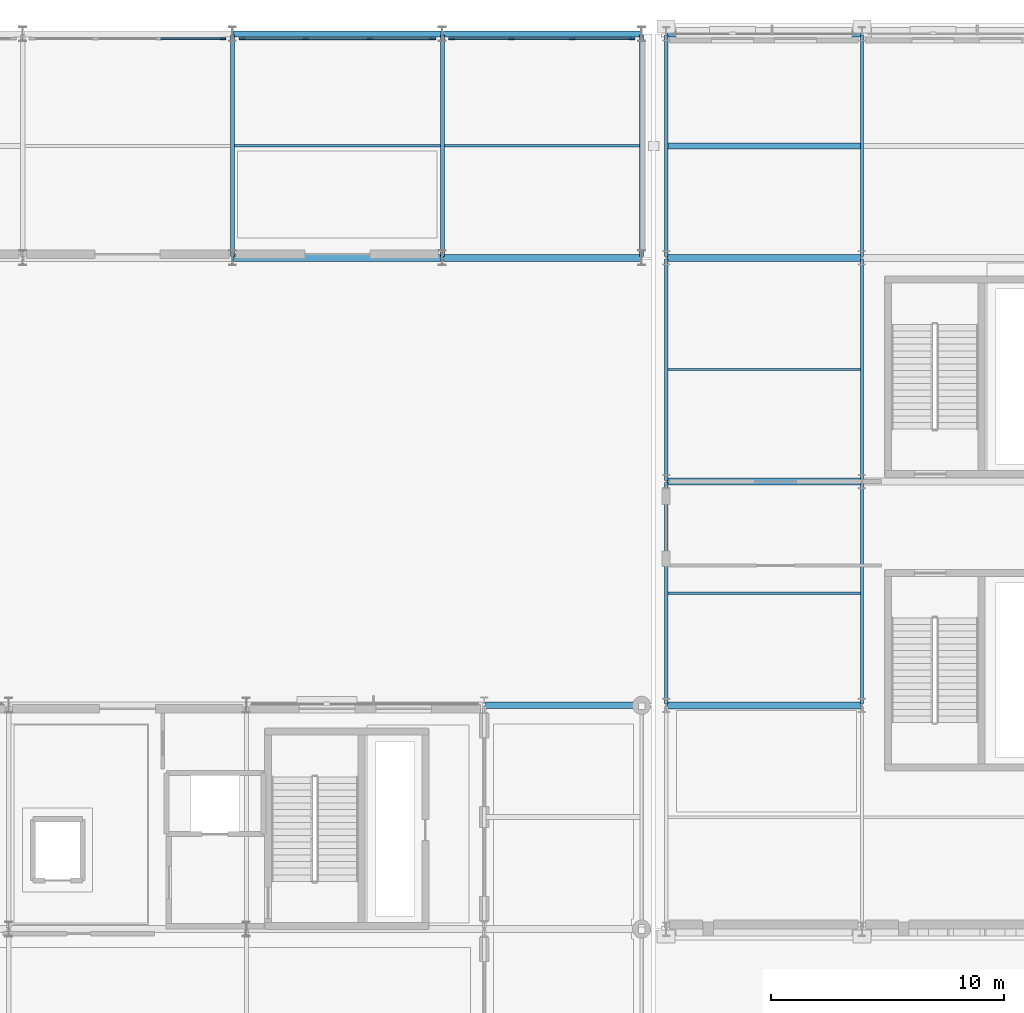
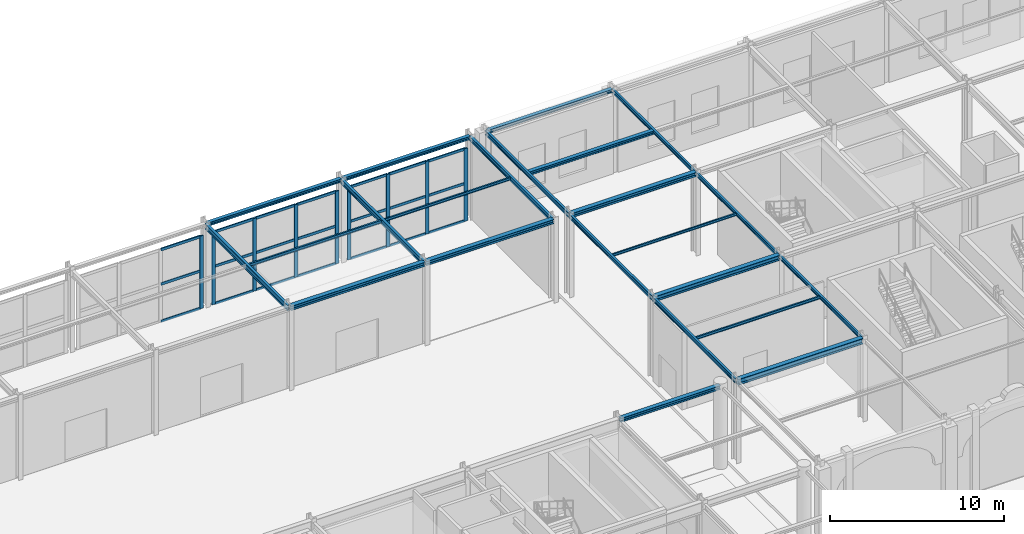
# One storey, part 44 of 113: 30 members, 23 beams, 3 elements without a shape of their own.
"""IFC4 building model written with IfcOpenShell, lengths in metres."""

from ifc_helpers import new_model, si_unit, direction, frame, origin, origin_2d, place, context, subcontext, project, spatial, rectangle, i_section, extrude, material, layer, layer_set, material_profile, profile_set, type_object, element, aggregate, save


model = new_model("IFC4")

# Units and contexts
model_context = context("Model", 3, precision=1e-05, world=origin(), true_north=direction((0.0, 1.0)))
body_context = subcontext(model_context, "Body", "Model", "MODEL_VIEW")
ifc_project = project(units=[si_unit("LENGTHUNIT", "METRE"), si_unit("AREAUNIT", "SQUARE_METRE"), si_unit("VOLUMEUNIT", "CUBIC_METRE"), si_unit("PLANEANGLEUNIT", "RADIAN"), si_unit("MASSUNIT", "GRAM", prefix="KILO")], contexts=[model_context])

# Site, building, storey
site_placement = place(None, origin())
site = spatial("IfcSite", under=ifc_project, at=site_placement, CompositionType="ELEMENT")
building_placement = place(site_placement, origin())
building = spatial("IfcBuilding", under=site, at=building_placement, Name="Myrtia Square Station", CompositionType="ELEMENT")
storey_placement = place(building_placement, origin())
storey = spatial("IfcBuildingStorey", under=building, at=storey_placement, Name="L00", CompositionType="ELEMENT", Elevation=0.0)

# Beams
ifc_material_1 = material(Name="Steel S355", Category="steel")
ifc_material_profile_1 = material_profile(ifc_material_1, i_section(OverallWidth=0.300048828125, OverallDepth=0.300048828125, WebThickness=0.010986328125, FlangeThickness=0.01904296875, FilletRadius=0.027099609375, at=origin_2d()), Name="HEB 300")
ifc_profile_set_1 = profile_set([ifc_material_profile_1], Name="Steel S355")
beam_type_1 = type_object("IfcBeamType", Name="BM-HEB300", PredefinedType="BEAM", material=ifc_profile_set_1)
beam_1_placement = place(storey_placement, frame((99.050048828125, 115.199951171875, 5.60498046875), z_axis=(1.0, 0.0, 0.0), x_axis=(0.0, 1.0, 0.0)))
element("IfcBeam", 1, at=beam_1_placement, inside=storey, type_object=beam_type_1, Name="Structural girder BMX-L00-0409", PredefinedType="BEAM", context=body_context, shape_type="SweptSolid", body=[
    extrude(i_section(OverallWidth=0.300048828125, OverallDepth=0.300048828125, WebThickness=0.010986328125, FlangeThickness=0.01904296875, FilletRadius=0.027099609375, at=origin_2d()), origin(), (0.0, 0.0, 1.0), 8.89990234375),
])
beam_2_placement = place(storey_placement, frame((108.050048828125, 115.199951171875, 5.60498046875), z_axis=(1.0, 0.0, 0.0), x_axis=(0.0, 1.0, 0.0)))
element("IfcBeam", 2, at=beam_2_placement, inside=storey, type_object=beam_type_1, Name="Structural girder BMX-L00-0410", PredefinedType="BEAM", context=body_context, shape_type="SweptSolid", body=[
    extrude(i_section(OverallWidth=0.300048828125, OverallDepth=0.300048828125, WebThickness=0.010986328125, FlangeThickness=0.01904296875, FilletRadius=0.027099609375, at=origin_2d()), origin(), (0.0, 0.0, 1.0), 8.449951171875),
])
beam_3_placement = place(storey_placement, frame((117.64990234375, 115.199951171875, 5.60009765625), z_axis=(1.0, 0.0, 0.0), x_axis=(0.0, 1.0, 0.0)))
element("IfcBeam", 3, at=beam_3_placement, inside=storey, type_object=beam_type_1, Name="Structural girder BMX-L00-0411", PredefinedType="BEAM", context=body_context, shape_type="SweptSolid", body=[
    extrude(i_section(OverallWidth=0.300048828125, OverallDepth=0.300048828125, WebThickness=0.010986328125, FlangeThickness=0.01904296875, FilletRadius=0.027099609375, at=origin_2d()), origin(), (0.0, 0.0, 1.0), 8.300048828125),
])
ifc_material_profile_2 = material_profile(ifc_material_1, i_section(OverallWidth=0.300048828125, OverallDepth=0.360107421875, WebThickness=0.012451171875, FlangeThickness=0.0224609375, FilletRadius=0.027099609375, at=origin_2d()), Name="HEB 360")
ifc_profile_set_2 = profile_set([ifc_material_profile_2], Name="Steel S355")
beam_type_2 = type_object("IfcBeamType", Name="BM-HEB360", PredefinedType="BEAM", material=ifc_profile_set_2)
beam_4_placement = place(storey_placement, frame((117.64990234375, 105.60009765625, 5.570068359375), z_axis=(1.0, 0.0, 0.0), x_axis=(0.0, 1.0, 0.0)))
element("IfcBeam", 4, at=beam_4_placement, inside=storey, type_object=beam_type_2, Name="Structural girder BMX-L00-0398", PredefinedType="BEAM", context=body_context, shape_type="SweptSolid", body=[
    extrude(i_section(OverallWidth=0.300048828125, OverallDepth=0.360107421875, WebThickness=0.012451171875, FlangeThickness=0.0224609375, FilletRadius=0.027099609375, at=origin_2d()), origin(), (0.0, 0.0, 1.0), 8.300048828125),
])
ifc_material_profile_3 = material_profile(ifc_material_1, i_section(OverallWidth=0.300048828125, OverallDepth=0.39990234375, WebThickness=0.013427734375, FlangeThickness=0.02392578125, FilletRadius=0.027099609375, at=origin_2d()), Name="HEB 400")
ifc_profile_set_3 = profile_set([ifc_material_profile_3], Name="Steel S355")
beam_type_3 = type_object("IfcBeamType", Name="BM-HEB400", PredefinedType="BEAM", material=ifc_profile_set_3)
beam_5_placement = place(storey_placement, frame((117.64990234375, 96.0, 5.550048828125), z_axis=(1.0, 0.0, 0.0), x_axis=(0.0, 1.0, 0.0)))
element("IfcBeam", 5, at=beam_5_placement, inside=storey, type_object=beam_type_3, Name="Structural girder BMX-L00-0394", PredefinedType="BEAM", context=body_context, shape_type="SweptSolid", body=[
    extrude(i_section(OverallWidth=0.300048828125, OverallDepth=0.39990234375, WebThickness=0.013427734375, FlangeThickness=0.02392578125, FilletRadius=0.027099609375, at=origin_2d()), origin(), (0.0, 0.0, 1.0), 8.300048828125),
])
ifc_material_profile_4 = material_profile(ifc_material_1, i_section(OverallWidth=0.135009765625, OverallDepth=0.27001953125, WebThickness=0.006591796875, FlangeThickness=0.01025390625, FilletRadius=0.014892578125, at=origin_2d()), Name="IPE 270")
ifc_profile_set_4 = profile_set([ifc_material_profile_4], Name="Steel S355")
beam_type_4 = type_object("IfcBeamType", Name="BM-IPE270", PredefinedType="BEAM", material=ifc_profile_set_4)
for number, where, z_axis, x_axis, name in (
    (6, (126.0, 96.050048828125, 5.614990234375), (0.0, 1.0, 0.0), (-1.0, 0.0, 0.0), "Structural girder BMY-L00-0430"),
    (7, (126.0, 105.64990234375, 5.614990234375), (0.0, 1.0, 0.0), (-1.0, 0.0, 0.0), "Structural girder BMY-L00-0431"),
    (8, (126.0, 115.25, 5.614990234375), (0.0, 1.0, 0.0), (-1.0, 0.0, 0.0), "Structural girder BMY-L00-0432"),
):
    element("IfcBeam", number, at=place(storey_placement, frame(where, z_axis=z_axis, x_axis=x_axis)), inside=storey, type_object=beam_type_4, Name=name, PredefinedType="BEAM", context=body_context, shape_type="SweptSolid", body=[
        extrude(i_section(OverallWidth=0.135009765625, OverallDepth=0.27001953125, WebThickness=0.006591796875, FlangeThickness=0.01025390625, FilletRadius=0.014892578125, at=origin_2d()), origin(), (0.0, 0.0, 1.0), 9.5),
    ])
ifc_material_profile_5 = material_profile(ifc_material_1, i_section(OverallWidth=0.14990234375, OverallDepth=0.300048828125, WebThickness=0.007080078125, FlangeThickness=0.0107421875, FilletRadius=0.014892578125, at=origin_2d()), Name="IPE 300")
ifc_profile_set_5 = profile_set([ifc_material_profile_5], Name="Steel S355")
beam_type_5 = type_object("IfcBeamType", Name="BM-IPE300", PredefinedType="BEAM", material=ifc_profile_set_5)
for number, where, z_axis, x_axis, name in (
    (9, (117.60009765625, 96.050048828125, 5.60009765625), (0.0, 1.0, 0.0), (-1.0, 0.0, 0.0), "Structural girder BMY-L00-0426"),
    (10, (117.60009765625, 105.64990234375, 5.60009765625), (0.0, 1.0, 0.0), (-1.0, 0.0, 0.0), "Structural girder BMY-L00-0427"),
    (11, (117.60009765625, 115.25, 5.60009765625), (0.0, 1.0, 0.0), (-1.0, 0.0, 0.0), "Structural girder BMY-L00-0428"),
):
    element("IfcBeam", number, at=place(storey_placement, frame(where, z_axis=z_axis, x_axis=x_axis)), inside=storey, type_object=beam_type_5, Name=name, PredefinedType="BEAM", context=body_context, shape_type="SweptSolid", body=[
        extrude(i_section(OverallWidth=0.14990234375, OverallDepth=0.300048828125, WebThickness=0.007080078125, FlangeThickness=0.0107421875, FilletRadius=0.014892578125, at=origin_2d()), origin(), (0.0, 0.0, 1.0), 9.5),
    ])
ifc_material_profile_6 = material_profile(ifc_material_1, i_section(OverallWidth=0.159912109375, OverallDepth=0.330078125, WebThickness=0.007568359375, FlangeThickness=0.011474609375, FilletRadius=0.01806640625, at=origin_2d()), Name="IPE 330")
ifc_profile_set_6 = profile_set([ifc_material_profile_6], Name="Steel S355")
beam_type_6 = type_object("IfcBeamType", Name="BM-IPE330", PredefinedType="BEAM", material=ifc_profile_set_6)
beam_6_placement = place(storey_placement, frame((116.550048828125, 115.25, 5.590087890625), z_axis=(0.0, 1.0, 0.0), x_axis=(-1.0, 0.0, 0.0)))
element("IfcBeam", 12, at=beam_6_placement, inside=storey, type_object=beam_type_6, Name="Structural girder BMY-L00-0424", PredefinedType="BEAM", context=body_context, shape_type="SweptSolid", body=[
    extrude(i_section(OverallWidth=0.159912109375, OverallDepth=0.330078125, WebThickness=0.007568359375, FlangeThickness=0.011474609375, FilletRadius=0.01806640625, at=origin_2d()), origin(), (0.0, 0.0, 1.0), 9.5),
])
ifc_material_profile_7 = material_profile(ifc_material_1, i_section(OverallWidth=0.169921875, OverallDepth=0.360107421875, WebThickness=0.008056640625, FlangeThickness=0.0126953125, FilletRadius=0.01806640625, at=origin_2d()), Name="IPE 360")
ifc_profile_set_7 = profile_set([ifc_material_profile_7], Name="Steel S355")
beam_type_7 = type_object("IfcBeamType", Name="BM-IPE360", PredefinedType="BEAM", material=ifc_profile_set_7)
beam_7_placement = place(storey_placement, frame((108.0, 115.25, 5.574951171875), z_axis=(0.0, 1.0, 0.0), x_axis=(-1.0, 0.0, 0.0)))
element("IfcBeam", 13, at=beam_7_placement, inside=storey, type_object=beam_type_7, Name="Structural girder BMY-L00-0423", PredefinedType="BEAM", context=body_context, shape_type="SweptSolid", body=[
    extrude(i_section(OverallWidth=0.169921875, OverallDepth=0.360107421875, WebThickness=0.008056640625, FlangeThickness=0.0126953125, FilletRadius=0.01806640625, at=origin_2d()), origin(), (0.0, 0.0, 1.0), 9.5),
])
ifc_material_profile_8 = material_profile(ifc_material_1, i_section(OverallWidth=0.179931640625, OverallDepth=0.39990234375, WebThickness=0.008544921875, FlangeThickness=0.013427734375, FilletRadius=0.02099609375, at=origin_2d()), Name="IPE 400")
ifc_profile_set_8 = profile_set([ifc_material_profile_8], Name="Steel S355")
beam_type_8 = type_object("IfcBeamType", Name="BM-IPE400", PredefinedType="BEAM", material=ifc_profile_set_8)
beam_8_placement = place(storey_placement, frame((99.0, 115.25, 5.554931640625), z_axis=(0.0, 1.0, 0.0), x_axis=(-1.0, 0.0, 0.0)))
element("IfcBeam", 14, at=beam_8_placement, inside=storey, type_object=beam_type_8, Name="Structural girder BMY-L00-0422", PredefinedType="BEAM", context=body_context, shape_type="SweptSolid", body=[
    extrude(i_section(OverallWidth=0.179931640625, OverallDepth=0.39990234375, WebThickness=0.008544921875, FlangeThickness=0.013427734375, FilletRadius=0.02099609375, at=origin_2d()), origin(), (0.0, 0.0, 1.0), 9.5),
])

# Curtain wall, member
ifc_material_2 = material(Name="Dark bronze anodised aluminium", Category="aluminium")
ifc_layer_1 = layer(ifc_material_2, 0.159912109375, Name="Dark bronze anodised aluminium")
ifc_layer_set_1 = layer_set([ifc_layer_1], Name="Dark bronze anodised aluminium")
curtain_wall_type_1 = type_object("IfcCurtainWallType", Name="CW-TYPE-33-826x510", PredefinedType="USERDEFINED", material=ifc_layer_set_1)
curtain_wall_1_placement = place(storey_placement, origin())
curtain_wall_1 = element("IfcCurtainWall", 15, at=curtain_wall_1_placement, inside=storey, type_object=curtain_wall_type_1, Name="Concourse curtain wall CW-L00-108", ObjectType="CONCOURSE CURTAIN WALL", PredefinedType="USERDEFINED")
ifc_material_profile_9 = material_profile(ifc_material_2, rectangle(XDim=0.074951171875, YDim=0.239990234375, at=origin_2d()), Name="ALU-M 75x240")
ifc_profile_set_9 = profile_set([ifc_material_profile_9], Name="Dark bronze anodised aluminium")
member_type_1 = type_object("IfcMemberType", Name="CWM-75x240", PredefinedType="MULLION", material=ifc_profile_set_9)
member_1_placement = place(storey_placement, frame((98.592529296875, 124.60009765625, 0.0), z_axis=(0.0, 0.0, 1.0), x_axis=(0.0, 1.0, 0.0)))
member_1 = element("IfcMember", 16, at=member_1_placement, type_object=member_type_1, Name="CW-108 mullion 4", PredefinedType="MULLION", context=body_context, shape_type="SweptSolid", body=[
    extrude(rectangle(XDim=0.074951171875, YDim=0.239990234375, at=origin_2d()), origin(), (0.0, 0.0, 1.0), 5.10009765625),
])

# Curtain wall, members
curtain_wall_2_placement = place(storey_placement, origin())
curtain_wall_2 = element("IfcCurtainWall", 17, at=curtain_wall_2_placement, inside=storey, type_object=curtain_wall_type_1, Name="Concourse curtain wall CW-L00-111", ObjectType="CONCOURSE CURTAIN WALL", PredefinedType="USERDEFINED")
member_2_placement = place(storey_placement, frame((99.407470703125, 124.60009765625, 0.0), z_axis=(0.0, 0.0, 1.0), x_axis=(0.0, 1.0, 0.0)))
member_2 = element("IfcMember", 18, at=member_2_placement, type_object=member_type_1, Name="CW-111 mullion 1", PredefinedType="MULLION", context=body_context, shape_type="SweptSolid", body=[
    extrude(rectangle(XDim=0.074951171875, YDim=0.239990234375, at=origin_2d()), origin(), (0.0, 0.0, 1.0), 5.10009765625),
])
member_3_placement = place(storey_placement, frame((102.123291015625, 124.60009765625, 0.0), z_axis=(0.0, 0.0, 1.0), x_axis=(0.0, 1.0, 0.0)))
member_3 = element("IfcMember", 19, at=member_3_placement, type_object=member_type_1, Name="CW-111 mullion 2", PredefinedType="MULLION", context=body_context, shape_type="SweptSolid", body=[
    extrude(rectangle(XDim=0.074951171875, YDim=0.239990234375, at=origin_2d()), origin(), (0.0, 0.0, 1.0), 5.10009765625),
])
member_4_placement = place(storey_placement, frame((104.876708984375, 124.60009765625, 0.0), z_axis=(0.0, 0.0, 1.0), x_axis=(0.0, 1.0, 0.0)))
member_4 = element("IfcMember", 20, at=member_4_placement, type_object=member_type_1, Name="CW-111 mullion 3", PredefinedType="MULLION", context=body_context, shape_type="SweptSolid", body=[
    extrude(rectangle(XDim=0.074951171875, YDim=0.239990234375, at=origin_2d()), origin(), (0.0, 0.0, 1.0), 5.10009765625),
])
member_5_placement = place(storey_placement, frame((107.592529296875, 124.60009765625, 0.0), z_axis=(0.0, 0.0, 1.0), x_axis=(0.0, 1.0, 0.0)))
member_5 = element("IfcMember", 21, at=member_5_placement, type_object=member_type_1, Name="CW-111 mullion 4", PredefinedType="MULLION", context=body_context, shape_type="SweptSolid", body=[
    extrude(rectangle(XDim=0.074951171875, YDim=0.239990234375, at=origin_2d()), origin(), (0.0, 0.0, 1.0), 5.10009765625),
])

ifc_layer_2 = layer(ifc_material_2, 0.159912109375, Name="Dark bronze anodised aluminium")
ifc_layer_set_2 = layer_set([ifc_layer_2], Name="Dark bronze anodised aluminium")
curtain_wall_type_2 = type_object("IfcCurtainWallType", Name="CW-TYPE-35-781x510", PredefinedType="USERDEFINED", material=ifc_layer_set_2)
curtain_wall_3_placement = place(storey_placement, origin())
curtain_wall_3 = element("IfcCurtainWall", 22, at=curtain_wall_3_placement, inside=storey, type_object=curtain_wall_type_2, Name="Concourse curtain wall CW-L00-113", ObjectType="CONCOURSE CURTAIN WALL", PredefinedType="USERDEFINED")
member_6_placement = place(storey_placement, frame((108.407470703125, 124.60009765625, 0.0), z_axis=(0.0, 0.0, 1.0), x_axis=(0.0, 1.0, 0.0)))
member_6 = element("IfcMember", 23, at=member_6_placement, type_object=member_type_1, Name="CW-113 mullion 1", PredefinedType="MULLION", context=body_context, shape_type="SweptSolid", body=[
    extrude(rectangle(XDim=0.074951171875, YDim=0.239990234375, at=origin_2d()), origin(), (0.0, 0.0, 1.0), 5.10009765625),
])
member_7_placement = place(storey_placement, frame((110.973388671875, 124.60009765625, 0.0), z_axis=(0.0, 0.0, 1.0), x_axis=(0.0, 1.0, 0.0)))
member_7 = element("IfcMember", 24, at=member_7_placement, type_object=member_type_1, Name="CW-113 mullion 2", PredefinedType="MULLION", context=body_context, shape_type="SweptSolid", body=[
    extrude(rectangle(XDim=0.074951171875, YDim=0.239990234375, at=origin_2d()), origin(), (0.0, 0.0, 1.0), 5.10009765625),
])
member_8_placement = place(storey_placement, frame((113.57666015625, 124.60009765625, 0.0), z_axis=(0.0, 0.0, 1.0), x_axis=(0.0, 1.0, 0.0)))
member_8 = element("IfcMember", 25, at=member_8_placement, type_object=member_type_1, Name="CW-113 mullion 3", PredefinedType="MULLION", context=body_context, shape_type="SweptSolid", body=[
    extrude(rectangle(XDim=0.074951171875, YDim=0.239990234375, at=origin_2d()), origin(), (0.0, 0.0, 1.0), 5.10009765625),
])
member_9_placement = place(storey_placement, frame((116.142578125, 124.60009765625, 0.0), z_axis=(0.0, 0.0, 1.0), x_axis=(0.0, 1.0, 0.0)))
member_9 = element("IfcMember", 26, at=member_9_placement, type_object=member_type_1, Name="CW-113 mullion 4", PredefinedType="MULLION", context=body_context, shape_type="SweptSolid", body=[
    extrude(rectangle(XDim=0.074951171875, YDim=0.239990234375, at=origin_2d()), origin(), (0.0, 0.0, 1.0), 5.10009765625),
])

# Member
ifc_material_profile_10 = material_profile(ifc_material_2, rectangle(XDim=0.074951171875, YDim=0.179931640625, at=origin_2d()), Name="ALU-T 75x180")
ifc_profile_set_10 = profile_set([ifc_material_profile_10], Name="Dark bronze anodised aluminium")
member_type_2 = type_object("IfcMemberType", Name="CWT-75x180", PredefinedType="USERDEFINED", material=ifc_profile_set_10)
member_10_placement = place(storey_placement, frame((95.9140625, 124.60009765625, 0.03759765625), z_axis=(1.0, 0.0, 0.0), x_axis=(0.0, 1.0, 0.0)))
member_10 = element("IfcMember", 27, at=member_10_placement, type_object=member_type_2, Name="CW-108 transom 3.1", ObjectType="TRANSOM", PredefinedType="USERDEFINED", context=body_context, shape_type="SweptSolid", body=[
    extrude(rectangle(XDim=0.074951171875, YDim=0.179931640625, at=origin_2d()), origin(), (0.0, 0.0, 1.0), 2.640869140625),
])

member_11_placement = place(storey_placement, frame((95.9140625, 124.60009765625, 2.652099609375), z_axis=(1.0, 0.0, 0.0), x_axis=(0.0, 1.0, 0.0)))
member_11 = element("IfcMember", 28, at=member_11_placement, type_object=member_type_2, Name="CW-108 transom 3.2", ObjectType="TRANSOM", PredefinedType="USERDEFINED", context=body_context, shape_type="SweptSolid", body=[
    extrude(rectangle(XDim=0.074951171875, YDim=0.179931640625, at=origin_2d()), origin(), (0.0, 0.0, 1.0), 2.640869140625),
])

member_12_placement = place(storey_placement, frame((95.9140625, 124.60009765625, 5.0625), z_axis=(1.0, 0.0, 0.0), x_axis=(0.0, 1.0, 0.0)))
member_12 = element("IfcMember", 29, at=member_12_placement, type_object=member_type_2, Name="CW-108 transom 3.3", ObjectType="TRANSOM", PredefinedType="USERDEFINED", context=body_context, shape_type="SweptSolid", body=[
    extrude(rectangle(XDim=0.074951171875, YDim=0.179931640625, at=origin_2d()), origin(), (0.0, 0.0, 1.0), 2.640869140625),
])

aggregate(curtain_wall_1, [member_1, member_10, member_11, member_12])

member_13_placement = place(storey_placement, frame((99.445068359375, 124.60009765625, 0.03759765625), z_axis=(1.0, 0.0, 0.0), x_axis=(0.0, 1.0, 0.0)))
member_13 = element("IfcMember", 30, at=member_13_placement, type_object=member_type_2, Name="CW-111 transom 1.1", ObjectType="TRANSOM", PredefinedType="USERDEFINED", context=body_context, shape_type="SweptSolid", body=[
    extrude(rectangle(XDim=0.074951171875, YDim=0.179931640625, at=origin_2d()), origin(), (0.0, 0.0, 1.0), 2.640869140625),
])

member_14_placement = place(storey_placement, frame((99.445068359375, 124.60009765625, 2.652099609375), z_axis=(1.0, 0.0, 0.0), x_axis=(0.0, 1.0, 0.0)))
member_14 = element("IfcMember", 31, at=member_14_placement, type_object=member_type_2, Name="CW-111 transom 1.2", ObjectType="TRANSOM", PredefinedType="USERDEFINED", context=body_context, shape_type="SweptSolid", body=[
    extrude(rectangle(XDim=0.074951171875, YDim=0.179931640625, at=origin_2d()), origin(), (0.0, 0.0, 1.0), 2.640869140625),
])

member_15_placement = place(storey_placement, frame((99.445068359375, 124.60009765625, 5.0625), z_axis=(1.0, 0.0, 0.0), x_axis=(0.0, 1.0, 0.0)))
member_15 = element("IfcMember", 32, at=member_15_placement, type_object=member_type_2, Name="CW-111 transom 1.3", ObjectType="TRANSOM", PredefinedType="USERDEFINED", context=body_context, shape_type="SweptSolid", body=[
    extrude(rectangle(XDim=0.074951171875, YDim=0.179931640625, at=origin_2d()), origin(), (0.0, 0.0, 1.0), 2.640869140625),
])

member_16_placement = place(storey_placement, frame((102.160888671875, 124.60009765625, 0.03759765625), z_axis=(1.0, 0.0, 0.0), x_axis=(0.0, 1.0, 0.0)))
member_16 = element("IfcMember", 33, at=member_16_placement, type_object=member_type_2, Name="CW-111 transom 2.1", ObjectType="TRANSOM", PredefinedType="USERDEFINED", context=body_context, shape_type="SweptSolid", body=[
    extrude(rectangle(XDim=0.074951171875, YDim=0.179931640625, at=origin_2d()), origin(), (0.0, 0.0, 1.0), 2.67822265625),
])

member_17_placement = place(storey_placement, frame((102.160888671875, 124.60009765625, 2.652099609375), z_axis=(1.0, 0.0, 0.0), x_axis=(0.0, 1.0, 0.0)))
member_17 = element("IfcMember", 34, at=member_17_placement, type_object=member_type_2, Name="CW-111 transom 2.2", ObjectType="TRANSOM", PredefinedType="USERDEFINED", context=body_context, shape_type="SweptSolid", body=[
    extrude(rectangle(XDim=0.074951171875, YDim=0.179931640625, at=origin_2d()), origin(), (0.0, 0.0, 1.0), 2.67822265625),
])

member_18_placement = place(storey_placement, frame((102.160888671875, 124.60009765625, 5.0625), z_axis=(1.0, 0.0, 0.0), x_axis=(0.0, 1.0, 0.0)))
member_18 = element("IfcMember", 35, at=member_18_placement, type_object=member_type_2, Name="CW-111 transom 2.3", ObjectType="TRANSOM", PredefinedType="USERDEFINED", context=body_context, shape_type="SweptSolid", body=[
    extrude(rectangle(XDim=0.074951171875, YDim=0.179931640625, at=origin_2d()), origin(), (0.0, 0.0, 1.0), 2.67822265625),
])

member_19_placement = place(storey_placement, frame((104.9140625, 124.60009765625, 0.03759765625), z_axis=(1.0, 0.0, 0.0), x_axis=(0.0, 1.0, 0.0)))
member_19 = element("IfcMember", 36, at=member_19_placement, type_object=member_type_2, Name="CW-111 transom 3.1", ObjectType="TRANSOM", PredefinedType="USERDEFINED", context=body_context, shape_type="SweptSolid", body=[
    extrude(rectangle(XDim=0.074951171875, YDim=0.179931640625, at=origin_2d()), origin(), (0.0, 0.0, 1.0), 2.640869140625),
])

member_20_placement = place(storey_placement, frame((104.9140625, 124.60009765625, 2.652099609375), z_axis=(1.0, 0.0, 0.0), x_axis=(0.0, 1.0, 0.0)))
member_20 = element("IfcMember", 37, at=member_20_placement, type_object=member_type_2, Name="CW-111 transom 3.2", ObjectType="TRANSOM", PredefinedType="USERDEFINED", context=body_context, shape_type="SweptSolid", body=[
    extrude(rectangle(XDim=0.074951171875, YDim=0.179931640625, at=origin_2d()), origin(), (0.0, 0.0, 1.0), 2.640869140625),
])

member_21_placement = place(storey_placement, frame((104.9140625, 124.60009765625, 5.0625), z_axis=(1.0, 0.0, 0.0), x_axis=(0.0, 1.0, 0.0)))
member_21 = element("IfcMember", 38, at=member_21_placement, type_object=member_type_2, Name="CW-111 transom 3.3", ObjectType="TRANSOM", PredefinedType="USERDEFINED", context=body_context, shape_type="SweptSolid", body=[
    extrude(rectangle(XDim=0.074951171875, YDim=0.179931640625, at=origin_2d()), origin(), (0.0, 0.0, 1.0), 2.640869140625),
])

aggregate(curtain_wall_2, [member_2, member_3, member_4, member_5, member_13, member_14, member_15, member_16, member_17, member_18, member_19, member_20, member_21])

member_22_placement = place(storey_placement, frame((108.445068359375, 124.60009765625, 0.03759765625), z_axis=(1.0, 0.0, 0.0), x_axis=(0.0, 1.0, 0.0)))
member_22 = element("IfcMember", 39, at=member_22_placement, type_object=member_type_2, Name="CW-113 transom 1.1", ObjectType="TRANSOM", PredefinedType="USERDEFINED", context=body_context, shape_type="SweptSolid", body=[
    extrude(rectangle(XDim=0.074951171875, YDim=0.179931640625, at=origin_2d()), origin(), (0.0, 0.0, 1.0), 2.49072265625),
])

member_23_placement = place(storey_placement, frame((108.445068359375, 124.60009765625, 2.652099609375), z_axis=(1.0, 0.0, 0.0), x_axis=(0.0, 1.0, 0.0)))
member_23 = element("IfcMember", 40, at=member_23_placement, type_object=member_type_2, Name="CW-113 transom 1.2", ObjectType="TRANSOM", PredefinedType="USERDEFINED", context=body_context, shape_type="SweptSolid", body=[
    extrude(rectangle(XDim=0.074951171875, YDim=0.179931640625, at=origin_2d()), origin(), (0.0, 0.0, 1.0), 2.49072265625),
])

member_24_placement = place(storey_placement, frame((108.445068359375, 124.60009765625, 5.0625), z_axis=(1.0, 0.0, 0.0), x_axis=(0.0, 1.0, 0.0)))
member_24 = element("IfcMember", 41, at=member_24_placement, type_object=member_type_2, Name="CW-113 transom 1.3", ObjectType="TRANSOM", PredefinedType="USERDEFINED", context=body_context, shape_type="SweptSolid", body=[
    extrude(rectangle(XDim=0.074951171875, YDim=0.179931640625, at=origin_2d()), origin(), (0.0, 0.0, 1.0), 2.49072265625),
])

member_25_placement = place(storey_placement, frame((111.0107421875, 124.60009765625, 0.03759765625), z_axis=(1.0, 0.0, 0.0), x_axis=(0.0, 1.0, 0.0)))
member_25 = element("IfcMember", 42, at=member_25_placement, type_object=member_type_2, Name="CW-113 transom 2.1", ObjectType="TRANSOM", PredefinedType="USERDEFINED", context=body_context, shape_type="SweptSolid", body=[
    extrude(rectangle(XDim=0.074951171875, YDim=0.179931640625, at=origin_2d()), origin(), (0.0, 0.0, 1.0), 2.5283203125),
])

member_26_placement = place(storey_placement, frame((111.0107421875, 124.60009765625, 2.652099609375), z_axis=(1.0, 0.0, 0.0), x_axis=(0.0, 1.0, 0.0)))
member_26 = element("IfcMember", 43, at=member_26_placement, type_object=member_type_2, Name="CW-113 transom 2.2", ObjectType="TRANSOM", PredefinedType="USERDEFINED", context=body_context, shape_type="SweptSolid", body=[
    extrude(rectangle(XDim=0.074951171875, YDim=0.179931640625, at=origin_2d()), origin(), (0.0, 0.0, 1.0), 2.5283203125),
])

member_27_placement = place(storey_placement, frame((111.0107421875, 124.60009765625, 5.0625), z_axis=(1.0, 0.0, 0.0), x_axis=(0.0, 1.0, 0.0)))
member_27 = element("IfcMember", 44, at=member_27_placement, type_object=member_type_2, Name="CW-113 transom 2.3", ObjectType="TRANSOM", PredefinedType="USERDEFINED", context=body_context, shape_type="SweptSolid", body=[
    extrude(rectangle(XDim=0.074951171875, YDim=0.179931640625, at=origin_2d()), origin(), (0.0, 0.0, 1.0), 2.5283203125),
])

member_28_placement = place(storey_placement, frame((113.6142578125, 124.60009765625, 0.03759765625), z_axis=(1.0, 0.0, 0.0), x_axis=(0.0, 1.0, 0.0)))
member_28 = element("IfcMember", 45, at=member_28_placement, type_object=member_type_2, Name="CW-113 transom 3.1", ObjectType="TRANSOM", PredefinedType="USERDEFINED", context=body_context, shape_type="SweptSolid", body=[
    extrude(rectangle(XDim=0.074951171875, YDim=0.179931640625, at=origin_2d()), origin(), (0.0, 0.0, 1.0), 2.49072265625),
])

member_29_placement = place(storey_placement, frame((113.6142578125, 124.60009765625, 2.652099609375), z_axis=(1.0, 0.0, 0.0), x_axis=(0.0, 1.0, 0.0)))
member_29 = element("IfcMember", 46, at=member_29_placement, type_object=member_type_2, Name="CW-113 transom 3.2", ObjectType="TRANSOM", PredefinedType="USERDEFINED", context=body_context, shape_type="SweptSolid", body=[
    extrude(rectangle(XDim=0.074951171875, YDim=0.179931640625, at=origin_2d()), origin(), (0.0, 0.0, 1.0), 2.49072265625),
])

member_30_placement = place(storey_placement, frame((113.6142578125, 124.60009765625, 5.0625), z_axis=(1.0, 0.0, 0.0), x_axis=(0.0, 1.0, 0.0)))
member_30 = element("IfcMember", 47, at=member_30_placement, type_object=member_type_2, Name="CW-113 transom 3.3", ObjectType="TRANSOM", PredefinedType="USERDEFINED", context=body_context, shape_type="SweptSolid", body=[
    extrude(rectangle(XDim=0.074951171875, YDim=0.179931640625, at=origin_2d()), origin(), (0.0, 0.0, 1.0), 2.49072265625),
])

aggregate(curtain_wall_3, [member_6, member_7, member_8, member_9, member_22, member_23, member_24, member_25, member_26, member_27, member_28, member_29, member_30])

# Beams
ifc_material_profile_11 = material_profile(ifc_material_1, i_section(OverallWidth=0.260009765625, OverallDepth=0.25, WebThickness=0.007568359375, FlangeThickness=0.012451171875, FilletRadius=0.02392578125, at=origin_2d()), Name="HEA 260")
ifc_profile_set_11 = profile_set([ifc_material_profile_11], Name="Steel S355")
beam_type_9 = type_object("IfcBeamType", Name="JST-HEA260", PredefinedType="JOIST", material=ifc_profile_set_11)
beam_9_placement = place(storey_placement, frame((117.675048828125, 120.0, 5.625), z_axis=(1.0, 0.0, 0.0), x_axis=(0.0, 1.0, 0.0)))
element("IfcBeam", 48, at=beam_9_placement, inside=storey, type_object=beam_type_9, Name="Composite floor joist L00-0072", PredefinedType="JOIST", context=body_context, shape_type="SweptSolid", body=[
    extrude(i_section(OverallWidth=0.260009765625, OverallDepth=0.25, WebThickness=0.007568359375, FlangeThickness=0.012451171875, FilletRadius=0.02392578125, at=origin_2d()), origin(), (0.0, 0.0, 1.0), 8.257568359375),
])
ifc_material_profile_12 = material_profile(ifc_material_1, i_section(OverallWidth=0.091064453125, OverallDepth=0.179931640625, WebThickness=0.00537109375, FlangeThickness=0.008056640625, FilletRadius=0.009033203125, at=origin_2d()), Name="IPE 180")
ifc_profile_set_12 = profile_set([ifc_material_profile_12], Name="Steel S355")
beam_type_10 = type_object("IfcBeamType", Name="JST-IPE180", PredefinedType="JOIST", material=ifc_profile_set_12)
beam_10_placement = place(storey_placement, frame((117.675048828125, 110.39990234375, 5.659912109375), z_axis=(1.0, 0.0, 0.0), x_axis=(0.0, 1.0, 0.0)))
element("IfcBeam", 49, at=beam_10_placement, inside=storey, type_object=beam_type_10, Name="Composite floor joist L00-0071", PredefinedType="JOIST", context=body_context, shape_type="SweptSolid", body=[
    extrude(i_section(OverallWidth=0.091064453125, OverallDepth=0.179931640625, WebThickness=0.00537109375, FlangeThickness=0.008056640625, FilletRadius=0.009033203125, at=origin_2d()), origin(), (0.0, 0.0, 1.0), 8.257568359375),
])
ifc_material_profile_13 = material_profile(ifc_material_1, i_section(OverallWidth=0.10009765625, OverallDepth=0.199951171875, WebThickness=0.005615234375, FlangeThickness=0.008544921875, FilletRadius=0.011962890625, at=origin_2d()), Name="IPE 200")
ifc_profile_set_13 = profile_set([ifc_material_profile_13], Name="Steel S355")
beam_type_11 = type_object("IfcBeamType", Name="JST-IPE200", PredefinedType="JOIST", material=ifc_profile_set_13)
beam_11_placement = place(storey_placement, frame((108.0849609375, 120.0, 5.655029296875), z_axis=(1.0, 0.0, 0.0), x_axis=(0.0, 1.0, 0.0)))
element("IfcBeam", 50, at=beam_11_placement, inside=storey, type_object=beam_type_11, Name="Composite floor joist L00-0068", PredefinedType="JOIST", context=body_context, shape_type="SweptSolid", body=[
    extrude(i_section(OverallWidth=0.10009765625, OverallDepth=0.199951171875, WebThickness=0.005615234375, FlangeThickness=0.008544921875, FilletRadius=0.011962890625, at=origin_2d()), origin(), (0.0, 0.0, 1.0), 8.385009765625),
])
beam_12_placement = place(storey_placement, frame((117.675048828125, 100.800048828125, 5.64990234375), z_axis=(1.0, 0.0, 0.0), x_axis=(0.0, 1.0, 0.0)))
element("IfcBeam", 51, at=beam_12_placement, inside=storey, type_object=beam_type_11, Name="Composite floor joist L00-0070", PredefinedType="JOIST", context=body_context, shape_type="SweptSolid", body=[
    extrude(i_section(OverallWidth=0.10009765625, OverallDepth=0.199951171875, WebThickness=0.005615234375, FlangeThickness=0.008544921875, FilletRadius=0.011962890625, at=origin_2d()), origin(), (0.0, 0.0, 1.0), 8.257568359375),
])
ifc_material_profile_14 = material_profile(ifc_material_1, i_section(OverallWidth=0.110107421875, OverallDepth=0.219970703125, WebThickness=0.005859375, FlangeThickness=0.00927734375, FilletRadius=0.011962890625, at=origin_2d()), Name="IPE 220")
ifc_profile_set_14 = profile_set([ifc_material_profile_14], Name="Steel S355")
beam_type_12 = type_object("IfcBeamType", Name="JST-IPE220", PredefinedType="JOIST", material=ifc_profile_set_14)
beam_13_placement = place(storey_placement, frame((99.090087890625, 120.0, 5.64501953125), z_axis=(1.0, 0.0, 0.0), x_axis=(0.0, 1.0, 0.0)))
element("IfcBeam", 52, at=beam_13_placement, inside=storey, type_object=beam_type_12, Name="Composite floor joist L00-0067", PredefinedType="JOIST", context=body_context, shape_type="SweptSolid", body=[
    extrude(i_section(OverallWidth=0.110107421875, OverallDepth=0.219970703125, WebThickness=0.005859375, FlangeThickness=0.00927734375, FilletRadius=0.011962890625, at=origin_2d()), origin(), (0.0, 0.0, 1.0), 8.824951171875),
])
ifc_material_profile_15 = material_profile(ifc_material_1, i_section(OverallWidth=0.239990234375, OverallDepth=0.239990234375, WebThickness=0.010009765625, FlangeThickness=0.01708984375, FilletRadius=0.02099609375, at=origin_2d()), Name="HEB 240")
ifc_profile_set_15 = profile_set([ifc_material_profile_15], Name="Steel S355")
beam_type_13 = type_object("IfcBeamType", Name="SPN-HEB240", PredefinedType="SPANDREL", material=ifc_profile_set_15)
beam_14_placement = place(storey_placement, frame((99.050048828125, 124.800048828125, 5.635009765625), z_axis=(1.0, 0.0, 0.0), x_axis=(0.0, 1.0, 0.0)))
element("IfcBeam", 53, at=beam_14_placement, inside=storey, type_object=beam_type_13, Name="Structural girder SPN-L00-0128", PredefinedType="SPANDREL", context=body_context, shape_type="SweptSolid", body=[
    extrude(i_section(OverallWidth=0.239990234375, OverallDepth=0.239990234375, WebThickness=0.010009765625, FlangeThickness=0.01708984375, FilletRadius=0.02099609375, at=origin_2d()), origin(), (0.0, 0.0, 1.0), 8.89990234375),
])
beam_15_placement = place(storey_placement, frame((108.050048828125, 124.800048828125, 5.635009765625), z_axis=(1.0, 0.0, 0.0), x_axis=(0.0, 1.0, 0.0)))
element("IfcBeam", 54, at=beam_15_placement, inside=storey, type_object=beam_type_13, Name="Structural girder SPN-L00-0129", PredefinedType="SPANDREL", context=body_context, shape_type="SweptSolid", body=[
    extrude(i_section(OverallWidth=0.239990234375, OverallDepth=0.239990234375, WebThickness=0.010009765625, FlangeThickness=0.01708984375, FilletRadius=0.02099609375, at=origin_2d()), origin(), (0.0, 0.0, 1.0), 8.449951171875),
])
beam_16_placement = place(storey_placement, frame((117.64990234375, 124.800048828125, 5.6298828125), z_axis=(1.0, 0.0, 0.0), x_axis=(0.0, 1.0, 0.0)))
element("IfcBeam", 55, at=beam_16_placement, inside=storey, type_object=beam_type_13, Name="Structural girder SPN-L00-0130", PredefinedType="SPANDREL", context=body_context, shape_type="SweptSolid", body=[
    extrude(i_section(OverallWidth=0.239990234375, OverallDepth=0.239990234375, WebThickness=0.010009765625, FlangeThickness=0.01708984375, FilletRadius=0.02099609375, at=origin_2d()), origin(), (0.0, 0.0, 1.0), 8.300048828125),
])
ifc_material_profile_16 = material_profile(ifc_material_1, i_section(OverallWidth=0.280029296875, OverallDepth=0.280029296875, WebThickness=0.010498046875, FlangeThickness=0.01806640625, FilletRadius=0.02392578125, at=origin_2d()), Name="HEB 280")
ifc_profile_set_16 = profile_set([ifc_material_profile_16], Name="Steel S355")
beam_type_14 = type_object("IfcBeamType", Name="SPN-HEB280", PredefinedType="SPANDREL", material=ifc_profile_set_16)
beam_17_placement = place(storey_placement, frame((109.85009765625, 96.0, 5.60009765625), z_axis=(1.0, 0.0, 0.0), x_axis=(0.0, 1.0, 0.0)))
element("IfcBeam", 56, at=beam_17_placement, inside=storey, type_object=beam_type_14, Name="Structural girder SPN-L00-0079", PredefinedType="SPANDREL", context=body_context, shape_type="SweptSolid", body=[
    extrude(i_section(OverallWidth=0.280029296875, OverallDepth=0.280029296875, WebThickness=0.010498046875, FlangeThickness=0.01806640625, FilletRadius=0.02392578125, at=origin_2d()), origin(), (0.0, 0.0, 1.0), 6.64990234375),
])

save(model, "model.ifc")
